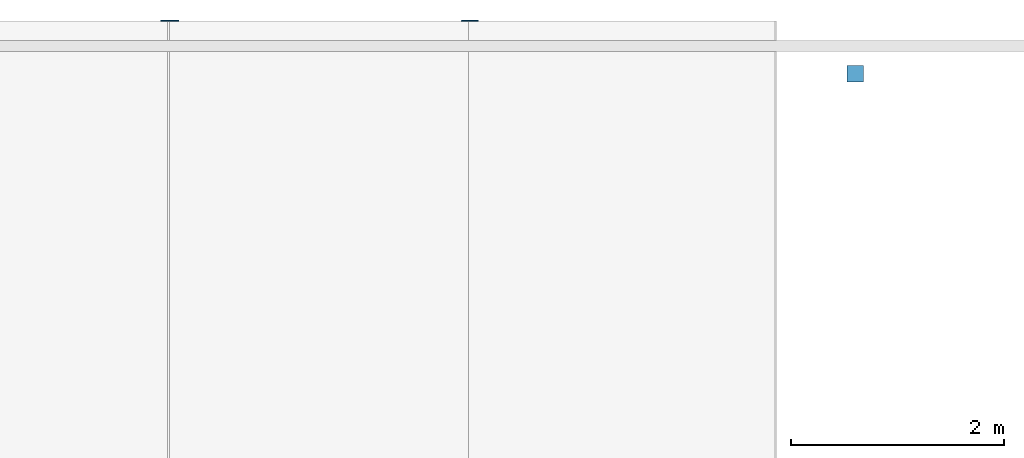
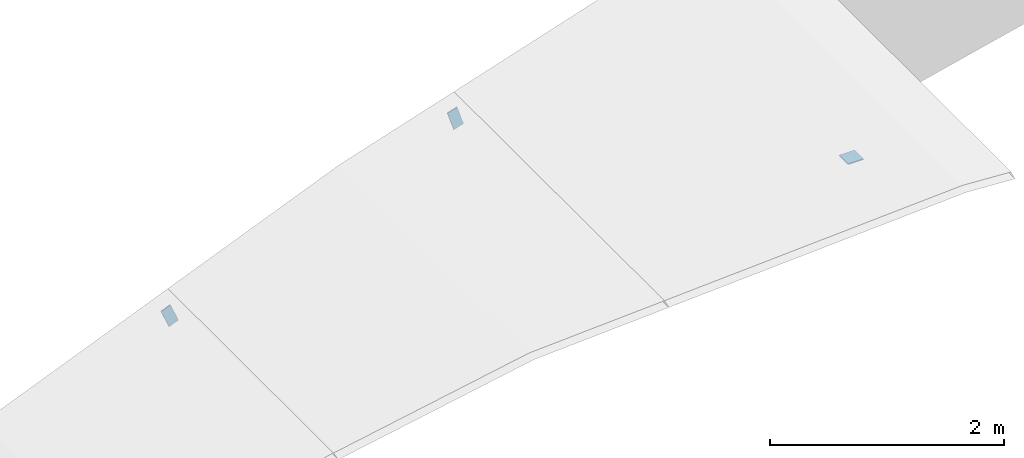
# One storey, part 9 of 17: 3 discrete accessories.
"""IFC4 building model written with IfcOpenShell, lengths in metres."""

from ifc_helpers import new_model, si_unit, direction, frame, origin, origin_2d, place, context, subcontext, project, spatial, rectangle, extrude, material, material_profile, profile_set, type_object, element, save


model = new_model("IFC4")

# Units and contexts
model_context = context("Model", 3, precision=1e-05, world=origin(), true_north=direction((0.0, 1.0)))
body_context = subcontext(model_context, "Body", "Model", "MODEL_VIEW")
ifc_project = project(units=[si_unit("LENGTHUNIT", "METRE"), si_unit("AREAUNIT", "SQUARE_METRE"), si_unit("VOLUMEUNIT", "CUBIC_METRE"), si_unit("PLANEANGLEUNIT", "RADIAN"), si_unit("MASSUNIT", "GRAM", prefix="KILO")], contexts=[model_context])

# Site, building, storey
site_placement = place(None, origin())
site = spatial("IfcSite", under=ifc_project, at=site_placement, CompositionType="ELEMENT")
building_placement = place(site_placement, origin())
building = spatial("IfcBuilding", under=site, at=building_placement, Name="Verrick Yard Athletic Hall", CompositionType="ELEMENT")
storey_placement = place(building_placement, frame((0.0, 0.0, 18.199951171875)))
storey = spatial("IfcBuildingStorey", under=building, at=storey_placement, Name="Roof", CompositionType="ELEMENT", Elevation=18.199951171875)

# Discrete accessories
ifc_material = material(Name="Structural steel 350W (CSA G40.21)", Category="steel")
ifc_material_profile_1 = material_profile(ifc_material, rectangle(XDim=0.1015625, YDim=0.203125, at=origin_2d()), Name="STR End cap plate 203x102x9.5")
ifc_profile_set_1 = profile_set([ifc_material_profile_1], Name="Structural steel 350W (CSA G40.21)")
discrete_accessory_type_1 = type_object("IfcDiscreteAccessoryType", Name="STR End cap plate 203x102x9.5", PredefinedType="BRACKET", material=ifc_profile_set_1)
for number, where, z_axis, x_axis, name in (
    (1, (127.162109375, 108.0, 1.082275390625), (0.0, 1.0, 0.0), (-0.924122791552, 0.0, -0.382095624331), "End cap HB-PU-A-5-3 B"),
    (2, (129.98095703125, 108.0, 2.154541015625), (0.0, 1.0, 0.0), (-0.951213620533, 0.0, -0.308533058379), "End cap HB-PU-A-5-4 B"),
):
    element("IfcDiscreteAccessory", number, at=place(storey_placement, frame(where, z_axis=z_axis, x_axis=x_axis)), inside=storey, type_object=discrete_accessory_type_1, Name=name, PredefinedType="BRACKET", context=body_context, shape_type="SweptSolid", body=[
        extrude(rectangle(XDim=0.1015625, YDim=0.203125, at=origin_2d()), origin(), (0.0, 0.0, 1.0), 0.010009765625),
    ])
ifc_material_profile_2 = material_profile(ifc_material, rectangle(XDim=0.15234375, YDim=0.15234375, at=origin_2d()), Name="STR End cap plate 152x152x9.5")
ifc_profile_set_2 = profile_set([ifc_material_profile_2], Name="Structural steel 350W (CSA G40.21)")
discrete_accessory_type_2 = type_object("IfcDiscreteAccessoryType", Name="STR End cap plate 152x152x9.5", PredefinedType="BRACKET", material=ifc_profile_set_2)
discrete_accessory_placement = place(storey_placement, frame((133.60009765625, 107.50537109375, 0.77685546875), z_axis=(0.0, 0.0, 1.0), x_axis=(1.0, 0.0, 0.0)))
element("IfcDiscreteAccessory", 3, at=discrete_accessory_placement, inside=storey, type_object=discrete_accessory_type_2, Name="End cap HB-GP-AN-2 B", PredefinedType="BRACKET", context=body_context, shape_type="SweptSolid", body=[
    extrude(rectangle(XDim=0.15234375, YDim=0.15234375, at=origin_2d()), origin(), (0.0, 0.0, 1.0), 0.010009765625),
])

save(model, "model.ifc")
